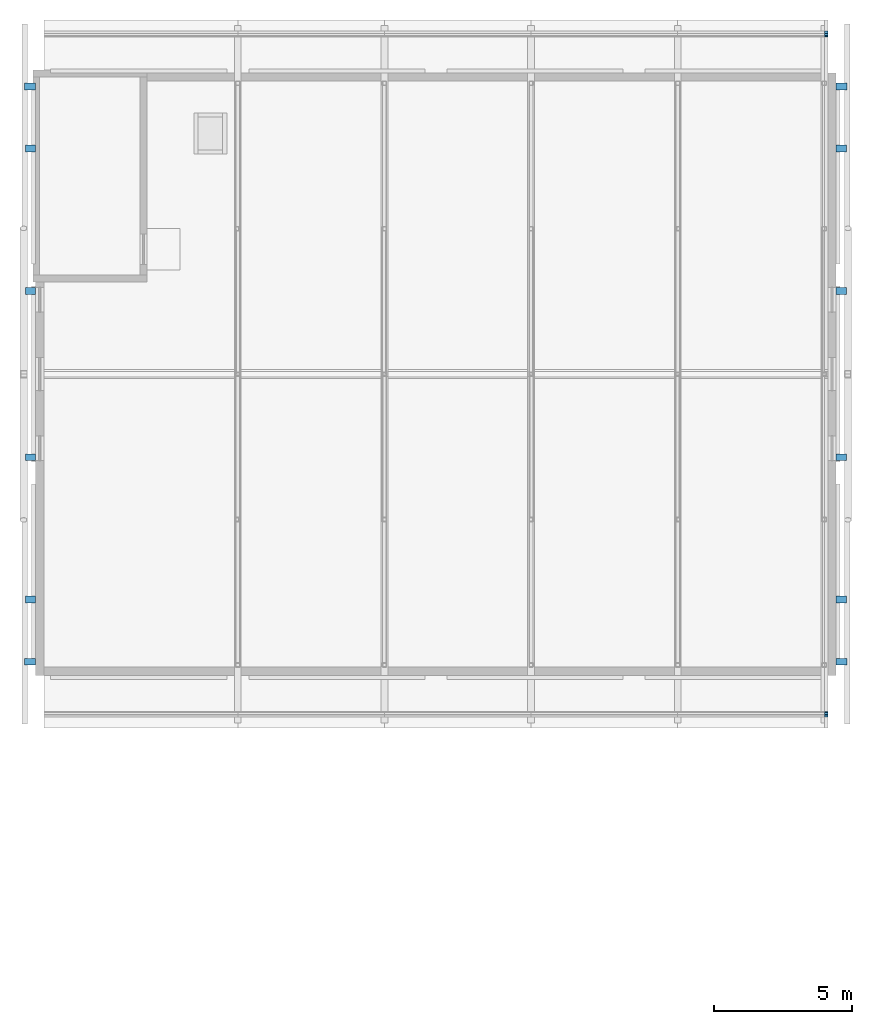
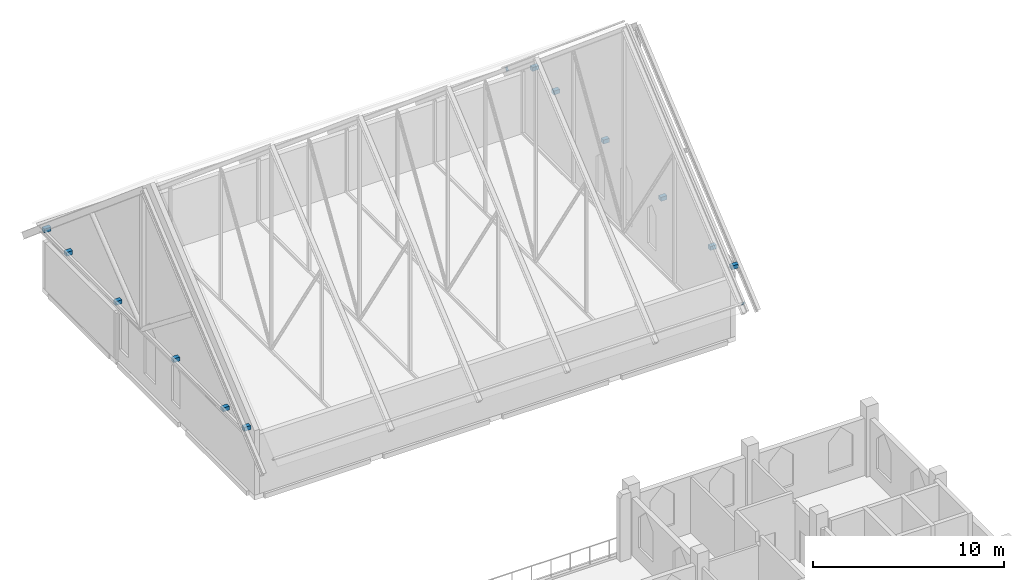
# One storey, part 23 of 29: 14 members.
"""IFC4 building model written with IfcOpenShell, lengths in metres."""

from ifc_helpers import new_model, si_unit, direction, frame, origin, origin_2d, place, context, subcontext, project, spatial, rectangle, i_section, extrude, material, material_profile, profile_set, type_object, element, save


model = new_model("IFC4")

# Units and contexts
model_context = context("Model", 3, precision=1e-05, world=origin(), true_north=direction((0.0, 1.0)))
body_context = subcontext(model_context, "Body", "Model", "MODEL_VIEW")
ifc_project = project(units=[si_unit("LENGTHUNIT", "METRE"), si_unit("AREAUNIT", "SQUARE_METRE"), si_unit("VOLUMEUNIT", "CUBIC_METRE"), si_unit("PLANEANGLEUNIT", "RADIAN"), si_unit("MASSUNIT", "GRAM", prefix="KILO")], contexts=[model_context])

# Site, building, storey
site_placement = place(None, origin())
site = spatial("IfcSite", under=ifc_project, at=site_placement, CompositionType="ELEMENT")
building_placement = place(site_placement, origin())
building = spatial("IfcBuilding", under=site, at=building_placement, Name="Silangan Lancet Faculty of Sciences", CompositionType="ELEMENT")
storey_placement = place(building_placement, frame((0.0, 0.0, 54.300048828125)))
storey = spatial("IfcBuildingStorey", under=building, at=storey_placement, Name="L11", CompositionType="ELEMENT", Elevation=54.300048828125)

# Members
ifc_material_1 = material(Name="Steel S355", Category="steel")
ifc_material_profile_1 = material_profile(ifc_material_1, rectangle(XDim=0.25, YDim=0.25, at=origin_2d()), Name="steel 250x250")
ifc_profile_set_1 = profile_set([ifc_material_profile_1], Name="Steel S355")
member_type_1 = type_object("IfcMemberType", Name="Gable truss bracket 250", PredefinedType="MEMBER", material=ifc_profile_set_1)
for number, where, z_axis, x_axis, name in (
    (1, (-0.14990234375, 36.342041015625, 4.128662109375), (-1.0, 0.0, 0.0), (0.0, -1.0, 0.0), "Gable truss bracket RA1"),
    (2, (-0.14990234375, 57.258056640625, 4.128662109375), (-1.0, 0.0, 0.0), (0.0, -1.0, 0.0), "Gable truss bracket RB1"),
):
    element("IfcMember", number, at=place(storey_placement, frame(where, z_axis=z_axis, x_axis=x_axis)), inside=storey, type_object=member_type_1, Name=name, PredefinedType="MEMBER", context=body_context, shape_type="SweptSolid", body=[
        extrude(rectangle(XDim=0.25, YDim=0.25, at=origin_2d()), origin(), (0.0, 0.0, 1.0), 0.39599609375),
    ])
for number, where, z_axis, x_axis, name in (
    (3, (-0.14990234375, 38.599853515625, 4.0), (-1.0, 0.0, 0.0), (0.0, -1.0, 0.0), "Gable truss bracket T1"),
    (4, (-0.14990234375, 43.77880859375, 4.0), (-1.0, 0.0, 0.0), (0.0, -1.0, 0.0), "Gable truss bracket T2"),
    (5, (-0.14990234375, 49.821044921875, 4.0), (-1.0, 0.0, 0.0), (0.0, -1.0, 0.0), "Gable truss bracket T3"),
    (6, (-0.14990234375, 55.0, 4.0), (-1.0, 0.0, 0.0), (0.0, -1.0, 0.0), "Gable truss bracket T4"),
):
    element("IfcMember", number, at=place(storey_placement, frame(where, z_axis=z_axis, x_axis=x_axis)), inside=storey, type_object=member_type_1, Name=name, PredefinedType="MEMBER", context=body_context, shape_type="SweptSolid", body=[
        extrude(rectangle(XDim=0.25, YDim=0.25, at=origin_2d()), origin(), (0.0, 0.0, 1.0), 0.371826171875),
    ])
for number, where, z_axis, x_axis, name in (
    (7, (28.949951171875, 36.342041015625, 4.128662109375), (1.0, 0.0, 0.0), (0.0, 1.0, 0.0), "Gable truss bracket RA1"),
    (8, (28.949951171875, 57.258056640625, 4.128662109375), (1.0, 0.0, 0.0), (0.0, 1.0, 0.0), "Gable truss bracket RB1"),
):
    element("IfcMember", number, at=place(storey_placement, frame(where, z_axis=z_axis, x_axis=x_axis)), inside=storey, type_object=member_type_1, Name=name, PredefinedType="MEMBER", context=body_context, shape_type="SweptSolid", body=[
        extrude(rectangle(XDim=0.25, YDim=0.25, at=origin_2d()), origin(), (0.0, 0.0, 1.0), 0.39599609375),
    ])
for number, where, z_axis, x_axis, name in (
    (9, (28.949951171875, 38.599853515625, 4.0), (1.0, 0.0, 0.0), (0.0, 1.0, 0.0), "Gable truss bracket T1"),
    (10, (28.949951171875, 43.77880859375, 4.0), (1.0, 0.0, 0.0), (0.0, 1.0, 0.0), "Gable truss bracket T2"),
    (11, (28.949951171875, 49.821044921875, 4.0), (1.0, 0.0, 0.0), (0.0, 1.0, 0.0), "Gable truss bracket T3"),
    (12, (28.949951171875, 55.0, 4.0), (1.0, 0.0, 0.0), (0.0, 1.0, 0.0), "Gable truss bracket T4"),
):
    element("IfcMember", number, at=place(storey_placement, frame(where, z_axis=z_axis, x_axis=x_axis)), inside=storey, type_object=member_type_1, Name=name, PredefinedType="MEMBER", context=body_context, shape_type="SweptSolid", body=[
        extrude(rectangle(XDim=0.25, YDim=0.25, at=origin_2d()), origin(), (0.0, 0.0, 1.0), 0.371826171875),
    ])
ifc_material_2 = material(Name="Steel SS400", Category="steel")
ifc_material_profile_2 = material_profile(ifc_material_2, i_section(OverallWidth=0.10009765625, OverallDepth=0.199951171875, WebThickness=0.005615234375, FlangeThickness=0.008056640625, FilletRadius=0.008056640625, at=origin_2d()), Name="H 200x100x5.5x8")
ifc_profile_set_2 = profile_set([ifc_material_profile_2], Name="Steel SS400")
member_type_2 = type_object("IfcMemberType", Name="Sheeting purlin H 200x100x5.5x8", PredefinedType="PURLIN", material=ifc_profile_set_2)
for number, where, z_axis, x_axis, name in (
    (13, (28.52490234375, 34.43798828125, 3.071044921875), (1.0, 0.0, 0.0), (0.0, 0.765704867842, 0.64319208279), "Gable purlin 6S1"),
    (14, (28.52490234375, 59.161865234375, 3.071044921875), (1.0, 0.0, 0.0), (0.0, 0.765704867842, -0.64319208279), "Gable purlin 6N1"),
):
    element("IfcMember", number, at=place(storey_placement, frame(where, z_axis=z_axis, x_axis=x_axis)), inside=storey, type_object=member_type_2, Name=name, PredefinedType="PURLIN", context=body_context, shape_type="SweptSolid", body=[
        extrude(i_section(OverallWidth=0.10009765625, OverallDepth=0.199951171875, WebThickness=0.005615234375, FlangeThickness=0.008056640625, FilletRadius=0.008056640625, at=origin_2d()), origin(), (0.0, 0.0, 1.0), 0.125),
    ])

save(model, "model.ifc")
